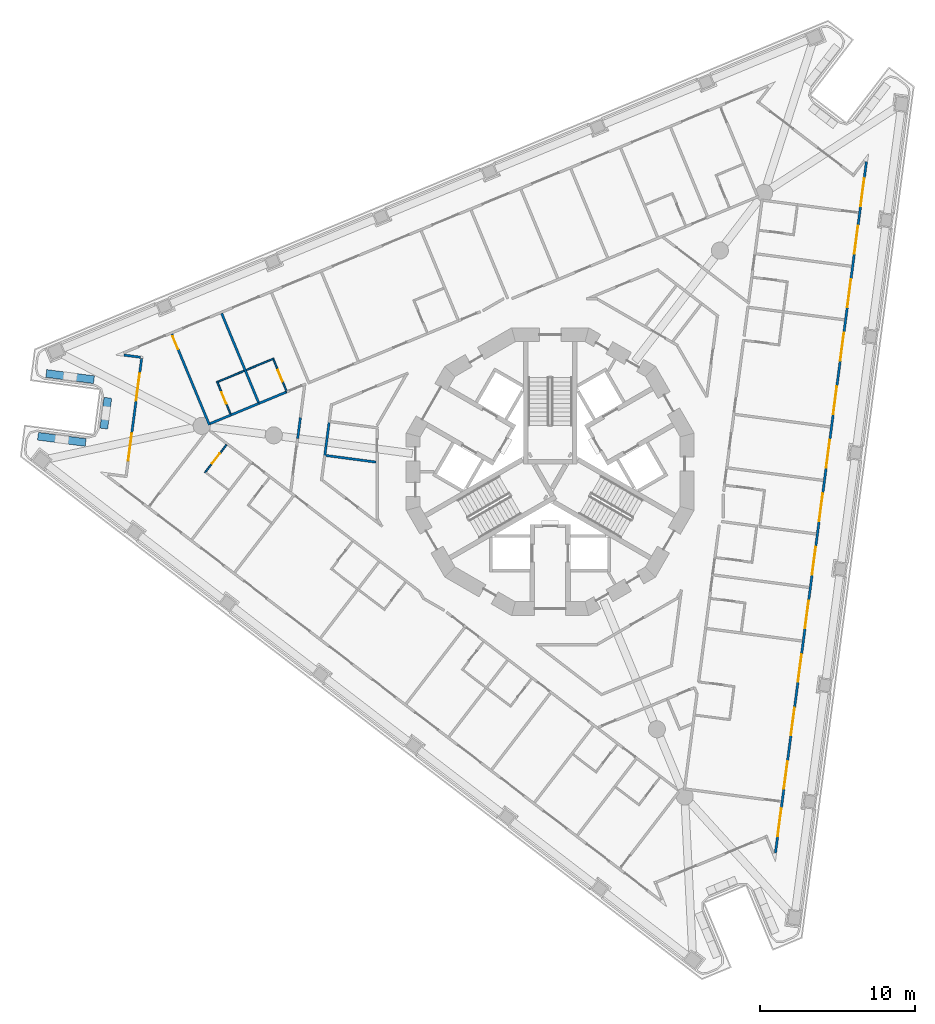
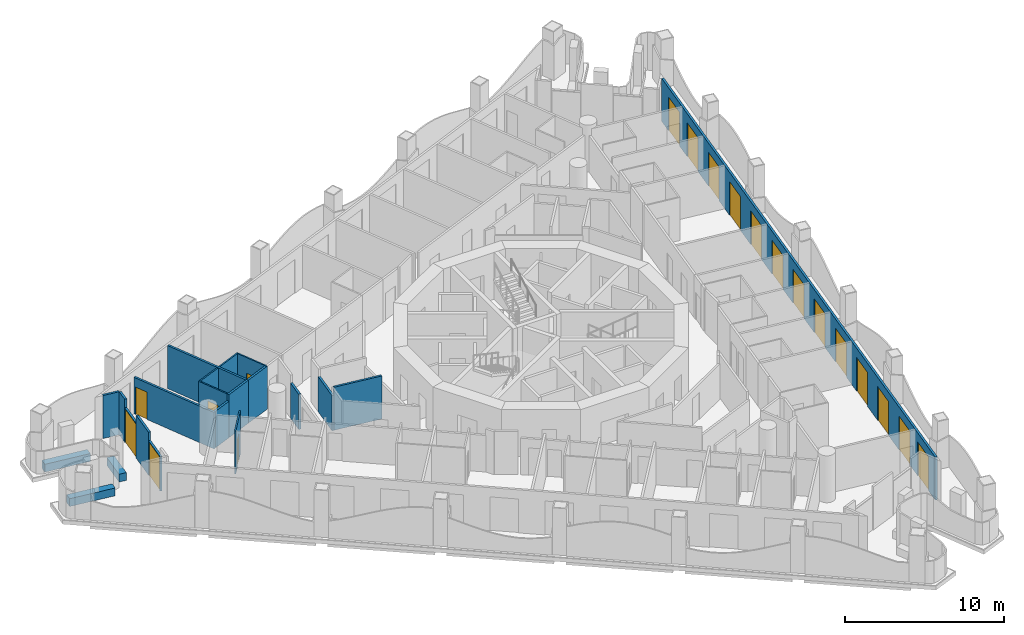
# One storey, part 6 of 17: 22 walls, 19 doors, 19 openings.
"""IFC4 building model written with IfcOpenShell, lengths in metres."""

import ifcopenshell
import ifcopenshell.guid

model = None  # the IFC model being written
_history = None  # IfcOwnerHistory: only IFC2X3 demands one
_inside = {}  # id of a spatial element -> (the spatial element, [elements in it])
_under = {}  # id of a project, library or spatial element -> (it, [spatial elements below it])
_declared = {}  # id of a project -> (the project, [libraries it declares])
_typed = {}  # id of a type object -> (the type object, [elements of that type])
_made_of = {}  # id of a material, layer set ... -> (it, [elements and type objects made of it])


def new_model(schema):
    """Start an empty IFC model of exactly this schema.

    Asked for "IFC4X3", IfcOpenShell would pick the latest addendum, in which some entities
    have other attributes; the version numbers below select the first issue.
    IFC2X3 requires an IfcOwnerHistory on every rooted entity: one is made here for all.
    """
    global model, _history
    if schema == "IFC4X3":
        model = ifcopenshell.file(schema_version=(4, 3, 0, 0))
    else:
        model = ifcopenshell.file(schema=schema)
    _inside.clear()
    _under.clear()
    _declared.clear()
    _typed.clear()
    _made_of.clear()
    _history = None
    if model.schema == "IFC2X3":
        org = make("IfcOrganization", Name="unknown")
        user = make(
            "IfcPersonAndOrganization",
            ThePerson=make("IfcPerson", FamilyName="unknown"),
            TheOrganization=org,
        )
        app = make(
            "IfcApplication",
            ApplicationDeveloper=org,
            Version="unknown",
            ApplicationFullName="unknown",
            ApplicationIdentifier="unknown",
        )
        _history = make(
            "IfcOwnerHistory",
            OwningUser=user,
            OwningApplication=app,
            ChangeAction="ADDED",
            CreationDate=0,
        )
    return model


def make(cls, **values):
    """One entity of the class cls with the attributes given. An attribute that is None is left unset."""
    return model.create_entity(
        cls, **{name: value for name, value in values.items() if value is not None}
    )


def rooted(cls, **values):
    """An entity with a GlobalId (a new one), such as an element, a storey or a relation."""
    return make(cls, GlobalId=ifcopenshell.guid.new(), OwnerHistory=_history, **values)


def si_unit(unit_type, name, prefix=None):
    """IfcSIUnit, for example si_unit("LENGTHUNIT", "METRE", prefix="MILLI")."""
    return make("IfcSIUnit", UnitType=unit_type, Prefix=prefix, Name=name)


def assignment(units):
    """IfcUnitAssignment: the units of a project."""
    return None if units is None else make("IfcUnitAssignment", Units=units)


def point(xyz):
    """IfcCartesianPoint."""
    return None if xyz is None else make("IfcCartesianPoint", Coordinates=xyz)


def direction(xyz):
    """IfcDirection."""
    return None if xyz is None else make("IfcDirection", DirectionRatios=xyz)


def frame(location, z_axis=None, x_axis=None):
    """IfcAxis2Placement3D, a coordinate frame: its origin and axes. An axis left out is left unset."""
    return make(
        "IfcAxis2Placement3D",
        Location=point(location),
        Axis=direction(z_axis),
        RefDirection=direction(x_axis),
    )


def frame_2d(location, x_axis=None):
    """IfcAxis2Placement2D, a coordinate frame in the plane: its origin and x axis."""
    return make(
        "IfcAxis2Placement2D", Location=point(location), RefDirection=direction(x_axis)
    )


def origin():
    """The frame at (0, 0, 0) with its axes left unset."""
    return frame((0.0, 0.0, 0.0))


def place(relative_to, where):
    """IfcLocalPlacement: puts the frame where relative to a parent placement (None: the world)."""
    return make(
        "IfcLocalPlacement", PlacementRelTo=relative_to, RelativePlacement=where
    )


def context(
    kind, dimensions, precision=None, world=None, true_north=None, identifier=None
):
    """IfcGeometricRepresentationContext, for example the 3D "Model" context."""
    return make(
        "IfcGeometricRepresentationContext",
        ContextIdentifier=identifier,
        ContextType=kind,
        CoordinateSpaceDimension=dimensions,
        Precision=precision,
        WorldCoordinateSystem=world,
        TrueNorth=true_north,
    )


def subcontext(parent, identifier, kind, view, scale=None):
    """IfcGeometricRepresentationSubContext, for example "Body" below "Model"."""
    return make(
        "IfcGeometricRepresentationSubContext",
        ContextIdentifier=identifier,
        ContextType=kind,
        ParentContext=parent,
        TargetScale=scale,
        TargetView=view,
    )


def project(units=None, contexts=None):
    """IfcProject with its units and contexts."""
    return rooted(
        "IfcProject",
        Name="project",
        RepresentationContexts=contexts,
        UnitsInContext=assignment(units),
    )


def spatial(cls, under=None, at=None, **own):
    """A site, building, storey or space (cls), placed at a placement, below another one or the project."""
    s = rooted(cls, ObjectPlacement=at, **own)
    if under is not None:
        _under.setdefault(under.id(), (under, []))[1].append(s)
    return s


def polyline(points):
    """IfcPolyline through the points."""
    return make("IfcPolyline", Points=[point(p) for p in points])


def profile(cls, at=None, kind="AREA", **sizes):
    """A parametric profile (cls). Its sizes go by their IFC names, for example OverallWidth=200.0."""
    return make(cls, ProfileType=kind, Position=at, **sizes)


def rectangle(**sizes):
    """IfcRectangleProfileDef."""
    return profile("IfcRectangleProfileDef", **sizes)


def outline(outer, holes=None, kind="AREA"):
    """IfcArbitraryClosedProfileDef: a profile drawn as a closed curve; with holes, ...WithVoids."""
    if holes is None:
        return make("IfcArbitraryClosedProfileDef", ProfileType=kind, OuterCurve=outer)
    return make(
        "IfcArbitraryProfileDefWithVoids",
        ProfileType=kind,
        OuterCurve=outer,
        InnerCurves=holes,
    )


def extrude(swept, where, along, depth):
    """IfcExtrudedAreaSolid: the profile swept, set in the frame where, extruded along a direction by depth."""
    return make(
        "IfcExtrudedAreaSolid",
        SweptArea=swept,
        Position=where,
        ExtrudedDirection=direction(along),
        Depth=depth,
    )


def shape(context_of_items, identifier, shape_type, items):
    """IfcShapeRepresentation: the items that make up one representation, for example the "Body"."""
    return make(
        "IfcShapeRepresentation",
        ContextOfItems=context_of_items,
        RepresentationIdentifier=identifier,
        RepresentationType=shape_type,
        Items=items,
    )


def material(Name=None, Category=None):
    """IfcMaterial."""
    return make("IfcMaterial", Name=Name, Category=Category)


def layer(
    of_material, thickness, ventilated=None, Name=None, Category=None, Priority=None
):
    """IfcMaterialLayer: one layer of a wall or slab, of a material (None: an air gap)."""
    return make(
        "IfcMaterialLayer",
        Material=of_material,
        LayerThickness=thickness,
        IsVentilated=ventilated,
        Name=Name,
        Category=Category,
        Priority=Priority,
    )


def layer_set(layers, Name=None):
    """IfcMaterialLayerSet."""
    return make("IfcMaterialLayerSet", MaterialLayers=layers, LayerSetName=Name)


def made_of(thing, what):
    """Note that an element or type object is made of a material, layer set ...; save() writes the relation."""
    if what is not None:
        _made_of.setdefault(what.id(), (what, []))[1].append(thing)
    return thing


def type_object(cls, material=None, **own):
    """A type object (cls), such as IfcWallType, which elements share."""
    return made_of(rooted(cls, **own), material)


def element(
    cls,
    number,
    at=None,
    inside=None,
    cuts=None,
    type_object=None,
    material=None,
    context=None,
    identifier="Body",
    shape_type=None,
    held_by="IfcProductDefinitionShape",
    body=None,
    shapes=None,
    **own,
):
    """One element of the class cls, such as IfcWall. Its Tag is "e" and its number.

    at: its placement. inside: the storey or other place that contains it. cuts: it is an
    opening in that element (IfcRelVoidsElement). A single representation is given by context,
    identifier, shape_type and body (its items); several are given by shapes. held_by: the class
    of the entity that holds the representations. save() writes the other relations.
    """
    e = rooted(cls, Tag="e%d" % number, ObjectPlacement=at, **own)
    if body is not None:
        shapes = [shape(context, identifier, shape_type, body)]
    if shapes is not None:
        e.Representation = make(held_by, Representations=shapes)
    if inside is not None:
        _inside.setdefault(inside.id(), (inside, []))[1].append(e)
    if cuts is not None:
        rooted(
            "IfcRelVoidsElement", RelatingBuildingElement=cuts, RelatedOpeningElement=e
        )
    if type_object is not None:
        _typed.setdefault(type_object.id(), (type_object, []))[1].append(e)
    return made_of(e, material)


def fill(opening, filler):
    """IfcRelFillsElement: the door or window that sits in an opening."""
    return rooted(
        "IfcRelFillsElement",
        RelatingOpeningElement=opening,
        RelatedBuildingElement=filler,
    )


def aggregate(whole, parts):
    """IfcRelAggregates: a whole, such as a stair, and the parts it consists of."""
    return rooted("IfcRelAggregates", RelatingObject=whole, RelatedObjects=parts)


def save(model, path):
    """Write the relations noted so far, then the file.

    IfcRelAggregates (storeys below a building ...), IfcRelContainedInSpatialStructure (elements
    in a storey), IfcRelDefinesByType, IfcRelAssociatesMaterial and IfcRelDeclares: one each for
    every whole, place, type object, material and project.
    """
    for whole, parts in _under.values():
        aggregate(whole, parts)
    for where, things in _inside.values():
        rooted(
            "IfcRelContainedInSpatialStructure",
            RelatedElements=things,
            RelatingStructure=where,
        )
    for kind, things in _typed.values():
        rooted("IfcRelDefinesByType", RelatedObjects=things, RelatingType=kind)
    for what, things in _made_of.values():
        rooted("IfcRelAssociatesMaterial", RelatedObjects=things, RelatingMaterial=what)
    for by, libraries in _declared.values():
        rooted("IfcRelDeclares", RelatingContext=by, RelatedDefinitions=libraries)
    model.write(path)


model = new_model("IFC4")

# Units and contexts
model_context = context("Model", 3, precision=1e-05, world=origin(), true_north=direction((0.0, 1.0)))
body_context = subcontext(model_context, "Body", "Model", "MODEL_VIEW")
ifc_project = project(units=[si_unit("LENGTHUNIT", "METRE"), si_unit("AREAUNIT", "SQUARE_METRE"), si_unit("VOLUMEUNIT", "CUBIC_METRE"), si_unit("PLANEANGLEUNIT", "RADIAN"), si_unit("MASSUNIT", "GRAM", prefix="KILO")], contexts=[model_context])

# Site, building, storey
site_placement = place(None, origin())
site = spatial("IfcSite", under=ifc_project, at=site_placement, CompositionType="ELEMENT")
building_placement = place(site_placement, origin())
building = spatial("IfcBuilding", under=site, at=building_placement, Name="Trine Commons Tower", CompositionType="ELEMENT")
storey_placement = place(building_placement, frame((0.0, 0.0, 127.800048828125)))
storey = spatial("IfcBuildingStorey", under=building, at=storey_placement, Name="L32", CompositionType="ELEMENT", Elevation=127.800048828125)

# Wall, opening, door
ifc_material_1 = material(Name="Aluminium-framed insulated wall panel", Category="aluminium")
ifc_layer_1 = layer(ifc_material_1, 0.14990234375)
ifc_layer_set_1 = layer_set([ifc_layer_1], Name="Aluminium-framed insulated wall panel")
wall_type_1 = type_object("IfcWallType", Name="Glazed frame wall 150, EI 60", PredefinedType="SOLIDWALL", material=ifc_layer_set_1)
wall_1_placement = place(storey_placement, frame((52.811279296875, 63.154296875, 0.0), z_axis=(0.0, 0.0, 1.0), x_axis=(0.130547578832, 0.991442045538, 0.0)))
wall_1 = element("IfcWall", 1, at=wall_1_placement, inside=storey, type_object=wall_type_1, Name="Glazed frame wall P1.2", PredefinedType="SOLIDWALL", context=body_context, shape_type="SweptSolid", body=[
    extrude(outline(polyline([(0.0, -0.074951171875), (1.89990234375, -0.074951171875), (1.89990234375, 0.074951171875), (0.0, 0.074951171875), (0.0, -0.074951171875)])), origin(), (0.0, 0.0, 1.0), 2.64990234375),
])
opening_1_placement = place(wall_1_placement, frame((0.050048828125, 0.0, 0.0)))
opening_1 = element("IfcOpeningElement", 2, at=opening_1_placement, cuts=wall_1, Name="Opening BD-4P1-01", PredefinedType="OPENING", context=body_context, shape_type="SweptSolid", body=[
    extrude(rectangle(XDim=1.800048828125, YDim=2.60009765625, at=frame_2d((0.89990234375, 1.300048828125))), frame((0.0, 0.0849609375, 0.0), z_axis=(0.0, -1.0, 0.0), x_axis=(1.0, 0.0, 0.0)), (0.0, 0.0, 1.0), 0.169921875),
])
ifc_material_2 = material(Name="Anodised aluminium frame with double glazing", Category="aluminium")
door_type_1 = type_object("IfcDoorType", Name="Sliding loggia door 1800x2600", OperationType="SLIDING_TO_LEFT", PredefinedType="DOOR", material=ifc_material_2)
door_1_placement = place(opening_1_placement, origin())
door_1 = element("IfcDoor", 3, at=door_1_placement, inside=storey, type_object=door_type_1, Name="Loggia door P1 1", OperationType="SLIDING_TO_LEFT", OverallHeight=2.60009765625, OverallWidth=1.800048828125, PredefinedType="DOOR", context=body_context, shape_type="SweptSolid", body=[
    extrude(rectangle(XDim=1.800048828125, YDim=2.60009765625, at=frame_2d((0.89990234375, 1.300048828125))), frame((0.0, 0.02490234375, 0.0), z_axis=(0.0, -1.0, 0.0), x_axis=(1.0, 0.0, 0.0)), (0.0, 0.0, 1.0), 0.050048828125),
])
fill(opening_1, door_1)

# Wall
wall_2_placement = place(storey_placement, frame((53.059326171875, 65.0380859375, 0.0), z_axis=(0.0, 0.0, 1.0), x_axis=(0.130492404742, 0.991449308994, 0.0)))
element("IfcWall", 4, at=wall_2_placement, inside=storey, type_object=wall_type_1, Name="Glazed frame wall P1.3", PredefinedType="SOLIDWALL", context=body_context, shape_type="SweptSolid", body=[
    extrude(outline(polyline([(0.0, -0.074951171875), (2.0, -0.074951171875), (2.0, 0.074951171875), (0.0, 0.074951171875), (0.0, -0.074951171875)])), origin(), (0.0, 0.0, 1.0), 3.300048828125),
])

# Wall, opening, door
wall_3_placement = place(storey_placement, frame((53.3203125, 67.02099609375, 0.0), z_axis=(0.0, 0.0, 1.0), x_axis=(0.130547578832, 0.991442045538, 0.0)))
wall_3 = element("IfcWall", 5, at=wall_3_placement, inside=storey, type_object=wall_type_1, Name="Glazed frame wall P1.4", PredefinedType="SOLIDWALL", context=body_context, shape_type="SweptSolid", body=[
    extrude(outline(polyline([(0.0, -0.074951171875), (1.89990234375, -0.074951171875), (1.89990234375, 0.074951171875), (0.0, 0.074951171875), (0.0, -0.074951171875)])), origin(), (0.0, 0.0, 1.0), 2.64990234375),
])
opening_2_placement = place(wall_3_placement, frame((0.050048828125, 0.0, 0.0)))
opening_2 = element("IfcOpeningElement", 6, at=opening_2_placement, cuts=wall_3, Name="Opening BD-4P1-02", PredefinedType="OPENING", context=body_context, shape_type="SweptSolid", body=[
    extrude(rectangle(XDim=1.800048828125, YDim=2.60009765625, at=frame_2d((0.89990234375, 1.300048828125))), frame((0.0, 0.0849609375, 0.0), z_axis=(0.0, -1.0, 0.0), x_axis=(1.0, 0.0, 0.0)), (0.0, 0.0, 1.0), 0.169921875),
])
door_2_placement = place(opening_2_placement, origin())
door_2 = element("IfcDoor", 7, at=door_2_placement, inside=storey, type_object=door_type_1, Name="Loggia door P1 2", OperationType="SLIDING_TO_LEFT", OverallHeight=2.60009765625, OverallWidth=1.800048828125, PredefinedType="DOOR", context=body_context, shape_type="SweptSolid", body=[
    extrude(rectangle(XDim=1.800048828125, YDim=2.60009765625, at=frame_2d((0.89990234375, 1.300048828125))), frame((0.0, 0.02490234375, 0.0), z_axis=(0.0, -1.0, 0.0), x_axis=(1.0, 0.0, 0.0)), (0.0, 0.0, 1.0), 0.050048828125),
])
fill(opening_2, door_2)

# Walls
wall_4_placement = place(storey_placement, frame((53.568359375, 68.90478515625, 0.0), z_axis=(0.0, 0.0, 1.0), x_axis=(0.130612392842, 0.991433509034, 0.0)))
element("IfcWall", 8, at=wall_4_placement, inside=storey, type_object=wall_type_1, Name="Glazed frame wall P1.5", PredefinedType="SOLIDWALL", context=body_context, shape_type="SweptSolid", body=[
    extrude(outline(polyline([(0.889892578125, 0.074951171875), (0.0, 0.074951171875), (0.0, -0.074951171875), (0.889892578125, -0.074951171875), (0.889892578125, 0.074951171875)])), origin(), (0.0, 0.0, 1.0), 3.300048828125),
])
wall_5_placement = place(storey_placement, frame((53.72900390625, 69.85693359375, 0.0), z_axis=(0.0, 0.0, 1.0), x_axis=(-0.991446880033, 0.130510858064, 0.0)))
element("IfcWall", 9, at=wall_5_placement, inside=storey, type_object=wall_type_1, Name="Glazed frame wall R3", PredefinedType="SOLIDWALL", context=body_context, shape_type="SweptSolid", body=[
    extrude(outline(polyline([(0.110107421875, 0.074951171875), (0.110107421875, -0.074951171875), (1.19580078125, -0.074951171875), (1.19580078125, 0.074951171875), (0.110107421875, 0.074951171875)])), origin(), (0.0, 0.0, 1.0), 3.300048828125),
])

# Wall, openings, doors
wall_6_placement = place(storey_placement, frame((100.387939453125, 82.614013671875, 0.0), z_axis=(0.0, 0.0, 1.0), x_axis=(-0.130522128443, -0.991445396372, 0.0)))
wall_6 = element("IfcWall", 10, at=wall_6_placement, inside=storey, type_object=wall_type_1, Name="Glazed frame wall F2", PredefinedType="SOLIDWALL", context=body_context, shape_type="SweptSolid", body=[
    extrude(outline(polyline([(0.1494140625, 0.074951171875), (0.1494140625, -0.074951171875), (45.056884765625, -0.074951171875), (45.056884765625, 0.074951171875), (0.1494140625, 0.074951171875)])), origin(), (0.0, 0.0, 1.0), 3.300048828125),
])
opening_3_placement = place(wall_6_placement, frame((1.23876953125, 0.0, 0.0)))
opening_3 = element("IfcOpeningElement", 11, at=opening_3_placement, cuts=wall_6, Name="Opening BD-4F2-01", PredefinedType="OPENING", context=body_context, shape_type="SweptSolid", body=[
    extrude(rectangle(XDim=1.800048828125, YDim=2.60009765625, at=frame_2d((0.89990234375, 1.300048828125))), frame((0.0, 0.0849609375, 0.0), z_axis=(0.0, -1.0, 0.0), x_axis=(1.0, 0.0, 0.0)), (0.0, 0.0, 1.0), 0.169921875),
])
opening_4_placement = place(wall_6_placement, frame((4.316162109375, 0.0, 0.0)))
opening_4 = element("IfcOpeningElement", 12, at=opening_4_placement, cuts=wall_6, Name="Opening BD-4F2-02", PredefinedType="OPENING", context=body_context, shape_type="SweptSolid", body=[
    extrude(rectangle(XDim=1.800048828125, YDim=2.60009765625, at=frame_2d((0.89990234375, 1.300048828125))), frame((0.0, 0.0849609375, 0.0), z_axis=(0.0, -1.0, 0.0), x_axis=(1.0, 0.0, 0.0)), (0.0, 0.0, 1.0), 0.169921875),
])
opening_5_placement = place(wall_6_placement, frame((7.79345703125, 0.0, 0.0)))
opening_5 = element("IfcOpeningElement", 13, at=opening_5_placement, cuts=wall_6, Name="Opening BD-4F2-03", PredefinedType="OPENING", context=body_context, shape_type="SweptSolid", body=[
    extrude(rectangle(XDim=1.800048828125, YDim=2.60009765625, at=frame_2d((0.89990234375, 1.300048828125))), frame((0.0, 0.0849609375, 0.0), z_axis=(0.0, -1.0, 0.0), x_axis=(1.0, 0.0, 0.0)), (0.0, 0.0, 1.0), 0.169921875),
])
opening_6_placement = place(wall_6_placement, frame((11.27099609375, 0.0, 0.0)))
opening_6 = element("IfcOpeningElement", 14, at=opening_6_placement, cuts=wall_6, Name="Opening BD-4F2-04", PredefinedType="OPENING", context=body_context, shape_type="SweptSolid", body=[
    extrude(rectangle(XDim=1.800048828125, YDim=2.60009765625, at=frame_2d((0.89990234375, 1.300048828125))), frame((0.0, 0.0849609375, 0.0), z_axis=(0.0, -1.0, 0.0), x_axis=(1.0, 0.0, 0.0)), (0.0, 0.0, 1.0), 0.169921875),
])
opening_7_placement = place(wall_6_placement, frame((14.748291015625, 0.0, 0.0)))
opening_7 = element("IfcOpeningElement", 15, at=opening_7_placement, cuts=wall_6, Name="Opening BD-4F2-05", PredefinedType="OPENING", context=body_context, shape_type="SweptSolid", body=[
    extrude(rectangle(XDim=1.800048828125, YDim=2.60009765625, at=frame_2d((0.89990234375, 1.300048828125))), frame((0.0, 0.0849609375, 0.0), z_axis=(0.0, -1.0, 0.0), x_axis=(1.0, 0.0, 0.0)), (0.0, 0.0, 1.0), 0.169921875),
])
opening_8_placement = place(wall_6_placement, frame((18.2255859375, 0.0, 0.0)))
opening_8 = element("IfcOpeningElement", 16, at=opening_8_placement, cuts=wall_6, Name="Opening BD-4F2-06", PredefinedType="OPENING", context=body_context, shape_type="SweptSolid", body=[
    extrude(rectangle(XDim=1.800048828125, YDim=2.60009765625, at=frame_2d((0.89990234375, 1.300048828125))), frame((0.0, 0.0849609375, 0.0), z_axis=(0.0, -1.0, 0.0), x_axis=(1.0, 0.0, 0.0)), (0.0, 0.0, 1.0), 0.169921875),
])
opening_9_placement = place(wall_6_placement, frame((21.703125, 0.0, 0.0)))
opening_9 = element("IfcOpeningElement", 17, at=opening_9_placement, cuts=wall_6, Name="Opening BD-4F2-07", PredefinedType="OPENING", context=body_context, shape_type="SweptSolid", body=[
    extrude(rectangle(XDim=1.800048828125, YDim=2.60009765625, at=frame_2d((0.89990234375, 1.300048828125))), frame((0.0, 0.0849609375, 0.0), z_axis=(0.0, -1.0, 0.0), x_axis=(1.0, 0.0, 0.0)), (0.0, 0.0, 1.0), 0.169921875),
])
opening_10_placement = place(wall_6_placement, frame((25.180419921875, 0.0, 0.0)))
opening_10 = element("IfcOpeningElement", 18, at=opening_10_placement, cuts=wall_6, Name="Opening BD-4F2-08", PredefinedType="OPENING", context=body_context, shape_type="SweptSolid", body=[
    extrude(rectangle(XDim=1.800048828125, YDim=2.60009765625, at=frame_2d((0.89990234375, 1.300048828125))), frame((0.0, 0.0849609375, 0.0), z_axis=(0.0, -1.0, 0.0), x_axis=(1.0, 0.0, 0.0)), (0.0, 0.0, 1.0), 0.169921875),
])
opening_11_placement = place(wall_6_placement, frame((28.657958984375, 0.0, 0.0)))
opening_11 = element("IfcOpeningElement", 19, at=opening_11_placement, cuts=wall_6, Name="Opening BD-4F2-09", PredefinedType="OPENING", context=body_context, shape_type="SweptSolid", body=[
    extrude(rectangle(XDim=1.800048828125, YDim=2.60009765625, at=frame_2d((0.89990234375, 1.300048828125))), frame((0.0, 0.0849609375, 0.0), z_axis=(0.0, -1.0, 0.0), x_axis=(1.0, 0.0, 0.0)), (0.0, 0.0, 1.0), 0.169921875),
])
opening_12_placement = place(wall_6_placement, frame((32.13525390625, 0.0, 0.0)))
opening_12 = element("IfcOpeningElement", 20, at=opening_12_placement, cuts=wall_6, Name="Opening BD-4F2-10", PredefinedType="OPENING", context=body_context, shape_type="SweptSolid", body=[
    extrude(rectangle(XDim=1.800048828125, YDim=2.60009765625, at=frame_2d((0.89990234375, 1.300048828125))), frame((0.0, 0.0849609375, 0.0), z_axis=(0.0, -1.0, 0.0), x_axis=(1.0, 0.0, 0.0)), (0.0, 0.0, 1.0), 0.169921875),
])
opening_13_placement = place(wall_6_placement, frame((35.61279296875, 0.0, 0.0)))
opening_13 = element("IfcOpeningElement", 21, at=opening_13_placement, cuts=wall_6, Name="Opening BD-4F2-11", PredefinedType="OPENING", context=body_context, shape_type="SweptSolid", body=[
    extrude(rectangle(XDim=1.800048828125, YDim=2.60009765625, at=frame_2d((0.89990234375, 1.300048828125))), frame((0.0, 0.0849609375, 0.0), z_axis=(0.0, -1.0, 0.0), x_axis=(1.0, 0.0, 0.0)), (0.0, 0.0, 1.0), 0.169921875),
])
opening_14_placement = place(wall_6_placement, frame((39.090087890625, 0.0, 0.0)))
opening_14 = element("IfcOpeningElement", 22, at=opening_14_placement, cuts=wall_6, Name="Opening BD-4F2-12", PredefinedType="OPENING", context=body_context, shape_type="SweptSolid", body=[
    extrude(rectangle(XDim=1.800048828125, YDim=2.60009765625, at=frame_2d((0.89990234375, 1.300048828125))), frame((0.0, 0.0849609375, 0.0), z_axis=(0.0, -1.0, 0.0), x_axis=(1.0, 0.0, 0.0)), (0.0, 0.0, 1.0), 0.169921875),
])
opening_15_placement = place(wall_6_placement, frame((42.16748046875, 0.0, 0.0)))
opening_15 = element("IfcOpeningElement", 23, at=opening_15_placement, cuts=wall_6, Name="Opening BD-4F2-13", PredefinedType="OPENING", context=body_context, shape_type="SweptSolid", body=[
    extrude(rectangle(XDim=1.800048828125, YDim=2.60009765625, at=frame_2d((0.89990234375, 1.300048828125))), frame((0.0, 0.0849609375, 0.0), z_axis=(0.0, -1.0, 0.0), x_axis=(1.0, 0.0, 0.0)), (0.0, 0.0, 1.0), 0.169921875),
])
door_3_placement = place(opening_3_placement, origin())
door_3 = element("IfcDoor", 24, at=door_3_placement, inside=storey, type_object=door_type_1, Name="Loggia door F2 1", OperationType="SLIDING_TO_LEFT", OverallHeight=2.60009765625, OverallWidth=1.800048828125, PredefinedType="DOOR", context=body_context, shape_type="SweptSolid", body=[
    extrude(rectangle(XDim=1.800048828125, YDim=2.60009765625, at=frame_2d((0.89990234375, 1.300048828125))), frame((0.0, 0.02490234375, 0.0), z_axis=(0.0, -1.0, 0.0), x_axis=(1.0, 0.0, 0.0)), (0.0, 0.0, 1.0), 0.050048828125),
])
fill(opening_3, door_3)
door_4_placement = place(opening_4_placement, origin())
door_4 = element("IfcDoor", 25, at=door_4_placement, inside=storey, type_object=door_type_1, Name="Loggia door F2 2", OperationType="SLIDING_TO_LEFT", OverallHeight=2.60009765625, OverallWidth=1.800048828125, PredefinedType="DOOR", context=body_context, shape_type="SweptSolid", body=[
    extrude(rectangle(XDim=1.800048828125, YDim=2.60009765625, at=frame_2d((0.89990234375, 1.300048828125))), frame((0.0, 0.02490234375, 0.0), z_axis=(0.0, -1.0, 0.0), x_axis=(1.0, 0.0, 0.0)), (0.0, 0.0, 1.0), 0.050048828125),
])
fill(opening_4, door_4)
door_5_placement = place(opening_5_placement, origin())
door_5 = element("IfcDoor", 26, at=door_5_placement, inside=storey, type_object=door_type_1, Name="Loggia door F2 3", OperationType="SLIDING_TO_LEFT", OverallHeight=2.60009765625, OverallWidth=1.800048828125, PredefinedType="DOOR", context=body_context, shape_type="SweptSolid", body=[
    extrude(rectangle(XDim=1.800048828125, YDim=2.60009765625, at=frame_2d((0.89990234375, 1.300048828125))), frame((0.0, 0.02490234375, 0.0), z_axis=(0.0, -1.0, 0.0), x_axis=(1.0, 0.0, 0.0)), (0.0, 0.0, 1.0), 0.050048828125),
])
fill(opening_5, door_5)
door_6_placement = place(opening_6_placement, origin())
door_6 = element("IfcDoor", 27, at=door_6_placement, inside=storey, type_object=door_type_1, Name="Loggia door F2 4", OperationType="SLIDING_TO_LEFT", OverallHeight=2.60009765625, OverallWidth=1.800048828125, PredefinedType="DOOR", context=body_context, shape_type="SweptSolid", body=[
    extrude(rectangle(XDim=1.800048828125, YDim=2.60009765625, at=frame_2d((0.89990234375, 1.300048828125))), frame((0.0, 0.02490234375, 0.0), z_axis=(0.0, -1.0, 0.0), x_axis=(1.0, 0.0, 0.0)), (0.0, 0.0, 1.0), 0.050048828125),
])
fill(opening_6, door_6)
door_7_placement = place(opening_7_placement, origin())
door_7 = element("IfcDoor", 28, at=door_7_placement, inside=storey, type_object=door_type_1, Name="Loggia door F2 5", OperationType="SLIDING_TO_LEFT", OverallHeight=2.60009765625, OverallWidth=1.800048828125, PredefinedType="DOOR", context=body_context, shape_type="SweptSolid", body=[
    extrude(rectangle(XDim=1.800048828125, YDim=2.60009765625, at=frame_2d((0.89990234375, 1.300048828125))), frame((0.0, 0.02490234375, 0.0), z_axis=(0.0, -1.0, 0.0), x_axis=(1.0, 0.0, 0.0)), (0.0, 0.0, 1.0), 0.050048828125),
])
fill(opening_7, door_7)
door_8_placement = place(opening_8_placement, origin())
door_8 = element("IfcDoor", 29, at=door_8_placement, inside=storey, type_object=door_type_1, Name="Loggia door F2 6", OperationType="SLIDING_TO_LEFT", OverallHeight=2.60009765625, OverallWidth=1.800048828125, PredefinedType="DOOR", context=body_context, shape_type="SweptSolid", body=[
    extrude(rectangle(XDim=1.800048828125, YDim=2.60009765625, at=frame_2d((0.89990234375, 1.300048828125))), frame((0.0, 0.02490234375, 0.0), z_axis=(0.0, -1.0, 0.0), x_axis=(1.0, 0.0, 0.0)), (0.0, 0.0, 1.0), 0.050048828125),
])
fill(opening_8, door_8)
door_9_placement = place(opening_9_placement, origin())
door_9 = element("IfcDoor", 30, at=door_9_placement, inside=storey, type_object=door_type_1, Name="Loggia door F2 7", OperationType="SLIDING_TO_LEFT", OverallHeight=2.60009765625, OverallWidth=1.800048828125, PredefinedType="DOOR", context=body_context, shape_type="SweptSolid", body=[
    extrude(rectangle(XDim=1.800048828125, YDim=2.60009765625, at=frame_2d((0.89990234375, 1.300048828125))), frame((0.0, 0.02490234375, 0.0), z_axis=(0.0, -1.0, 0.0), x_axis=(1.0, 0.0, 0.0)), (0.0, 0.0, 1.0), 0.050048828125),
])
fill(opening_9, door_9)
door_10_placement = place(opening_10_placement, origin())
door_10 = element("IfcDoor", 31, at=door_10_placement, inside=storey, type_object=door_type_1, Name="Loggia door F2 8", OperationType="SLIDING_TO_LEFT", OverallHeight=2.60009765625, OverallWidth=1.800048828125, PredefinedType="DOOR", context=body_context, shape_type="SweptSolid", body=[
    extrude(rectangle(XDim=1.800048828125, YDim=2.60009765625, at=frame_2d((0.89990234375, 1.300048828125))), frame((0.0, 0.02490234375, 0.0), z_axis=(0.0, -1.0, 0.0), x_axis=(1.0, 0.0, 0.0)), (0.0, 0.0, 1.0), 0.050048828125),
])
fill(opening_10, door_10)
door_11_placement = place(opening_11_placement, origin())
door_11 = element("IfcDoor", 32, at=door_11_placement, inside=storey, type_object=door_type_1, Name="Loggia door F2 9", OperationType="SLIDING_TO_LEFT", OverallHeight=2.60009765625, OverallWidth=1.800048828125, PredefinedType="DOOR", context=body_context, shape_type="SweptSolid", body=[
    extrude(rectangle(XDim=1.800048828125, YDim=2.60009765625, at=frame_2d((0.89990234375, 1.300048828125))), frame((0.0, 0.02490234375, 0.0), z_axis=(0.0, -1.0, 0.0), x_axis=(1.0, 0.0, 0.0)), (0.0, 0.0, 1.0), 0.050048828125),
])
fill(opening_11, door_11)
door_12_placement = place(opening_12_placement, origin())
door_12 = element("IfcDoor", 33, at=door_12_placement, inside=storey, type_object=door_type_1, Name="Loggia door F2 10", OperationType="SLIDING_TO_LEFT", OverallHeight=2.60009765625, OverallWidth=1.800048828125, PredefinedType="DOOR", context=body_context, shape_type="SweptSolid", body=[
    extrude(rectangle(XDim=1.800048828125, YDim=2.60009765625, at=frame_2d((0.89990234375, 1.300048828125))), frame((0.0, 0.02490234375, 0.0), z_axis=(0.0, -1.0, 0.0), x_axis=(1.0, 0.0, 0.0)), (0.0, 0.0, 1.0), 0.050048828125),
])
fill(opening_12, door_12)
door_13_placement = place(opening_13_placement, origin())
door_13 = element("IfcDoor", 34, at=door_13_placement, inside=storey, type_object=door_type_1, Name="Loggia door F2 11", OperationType="SLIDING_TO_LEFT", OverallHeight=2.60009765625, OverallWidth=1.800048828125, PredefinedType="DOOR", context=body_context, shape_type="SweptSolid", body=[
    extrude(rectangle(XDim=1.800048828125, YDim=2.60009765625, at=frame_2d((0.89990234375, 1.300048828125))), frame((0.0, 0.02490234375, 0.0), z_axis=(0.0, -1.0, 0.0), x_axis=(1.0, 0.0, 0.0)), (0.0, 0.0, 1.0), 0.050048828125),
])
fill(opening_13, door_13)
door_14_placement = place(opening_14_placement, origin())
door_14 = element("IfcDoor", 35, at=door_14_placement, inside=storey, type_object=door_type_1, Name="Loggia door F2 12", OperationType="SLIDING_TO_LEFT", OverallHeight=2.60009765625, OverallWidth=1.800048828125, PredefinedType="DOOR", context=body_context, shape_type="SweptSolid", body=[
    extrude(rectangle(XDim=1.800048828125, YDim=2.60009765625, at=frame_2d((0.89990234375, 1.300048828125))), frame((0.0, 0.02490234375, 0.0), z_axis=(0.0, -1.0, 0.0), x_axis=(1.0, 0.0, 0.0)), (0.0, 0.0, 1.0), 0.050048828125),
])
fill(opening_14, door_14)
door_15_placement = place(opening_15_placement, origin())
door_15 = element("IfcDoor", 36, at=door_15_placement, inside=storey, type_object=door_type_1, Name="Loggia door F2 13", OperationType="SLIDING_TO_LEFT", OverallHeight=2.60009765625, OverallWidth=1.800048828125, PredefinedType="DOOR", context=body_context, shape_type="SweptSolid", body=[
    extrude(rectangle(XDim=1.800048828125, YDim=2.60009765625, at=frame_2d((0.89990234375, 1.300048828125))), frame((0.0, 0.02490234375, 0.0), z_axis=(0.0, -1.0, 0.0), x_axis=(1.0, 0.0, 0.0)), (0.0, 0.0, 1.0), 0.050048828125),
])
fill(opening_15, door_15)

# Walls
ifc_material_3 = material(Name="Planter trough, precast concrete C40/50", Category="concrete")
ifc_layer_2 = layer(ifc_material_3, 0.5)
ifc_layer_set_2 = layer_set([ifc_layer_2], Name="Planter trough, precast concrete C40/50")
wall_type_2 = type_object("IfcWallType", Name="Planter trough 500x600", PredefinedType="PARAPET", material=ifc_layer_set_2)
wall_7_placement = place(storey_placement, frame((47.009765625, 64.78564453125, 0.0), z_axis=(0.0, 0.0, 1.0), x_axis=(0.991448665422, -0.130497294353, 0.0)))
element("IfcWall", 37, at=wall_7_placement, inside=storey, type_object=wall_type_2, Name="Planter 1", PredefinedType="PARAPET", context=body_context, shape_type="SweptSolid", body=[
    extrude(rectangle(XDim=3.10009765625, YDim=0.5, at=frame_2d((1.550048828125, 0.0))), origin(), (0.0, 0.0, 1.0), 0.599853515625),
])
wall_8_placement = place(storey_placement, frame((51.25, 65.2763671875, 0.0), z_axis=(0.0, 0.0, 1.0), x_axis=(0.130492404742, 0.991449308994, 0.0)))
element("IfcWall", 38, at=wall_8_placement, inside=storey, type_object=wall_type_2, Name="Planter 2", PredefinedType="PARAPET", context=body_context, shape_type="SweptSolid", body=[
    extrude(rectangle(XDim=2.0, YDim=0.5, at=frame_2d((1.0, 0.0))), origin(), (0.0, 0.0, 1.0), 0.599853515625),
])
wall_9_placement = place(storey_placement, frame((50.615478515625, 68.426025390625, 0.0), z_axis=(0.0, 0.0, 1.0), x_axis=(-0.991437130155, 0.130584903225, 0.0)))
element("IfcWall", 39, at=wall_9_placement, inside=storey, type_object=wall_type_2, Name="Planter 3", PredefinedType="PARAPET", context=body_context, shape_type="SweptSolid", body=[
    extrude(rectangle(XDim=3.099853515625, YDim=0.5, at=frame_2d((1.5498046875, 0.0))), origin(), (0.0, 0.0, 1.0), 0.599853515625),
])

# Wall, opening, door
ifc_material_4 = material(Name="Gypsum plasterboard on steel stud", Category="steel")
ifc_layer_3 = layer(ifc_material_4, 0.14990234375)
ifc_layer_set_3 = layer_set([ifc_layer_3], Name="Gypsum plasterboard on steel stud")
wall_type_3 = type_object("IfcWallType", Name="Unit and corridor wall 150 mm, EI 60", PredefinedType="PARTITIONING", material=ifc_layer_set_3)
wall_10_placement = place(storey_placement, frame((55.62841796875, 71.361083984375, 0.0), z_axis=(0.0, 0.0, 1.0), x_axis=(0.38260330851, -0.923912716828, 0.0)))
wall_10 = element("IfcWall", 40, at=wall_10_placement, inside=storey, type_object=wall_type_3, Name="Partition 002", PredefinedType="PARTITIONING", context=body_context, shape_type="SweptSolid", body=[
    extrude(rectangle(XDim=6.343994140625, YDim=0.14990234375, at=frame_2d((3.171875, 0.0))), origin(), (0.0, 0.0, 1.0), 2.800048828125),
])
opening_16_placement = place(wall_10_placement, frame((0.14990234375, 0.0, 0.0)))
opening_16 = element("IfcOpeningElement", 41, at=opening_16_placement, cuts=wall_10, Name="Opening D-4A05", PredefinedType="OPENING", context=body_context, shape_type="SweptSolid", body=[
    extrude(rectangle(XDim=0.89990234375, YDim=2.10009765625, at=frame_2d((0.449951171875, 1.050048828125))), frame((0.0, 0.0849609375, 0.0), z_axis=(0.0, -1.0, 0.0), x_axis=(1.0, 0.0, 0.0)), (0.0, 0.0, 1.0), 0.169921875),
])
ifc_material_5 = material(Name="Timber fire door set", Category="wood")
door_type_2 = type_object("IfcDoorType", Name="Bedroom door 900 x 2100, FD30S", OperationType="NOTDEFINED", PredefinedType="DOOR", material=ifc_material_5)
door_16_placement = place(opening_16_placement, origin())
door_16 = element("IfcDoor", 42, at=door_16_placement, inside=storey, type_object=door_type_2, Name="Door D-4A05", OperationType="SINGLE_SWING_LEFT", OverallHeight=2.10009765625, OverallWidth=0.89990234375, PredefinedType="DOOR", context=body_context, shape_type="SweptSolid", body=[
    extrude(rectangle(XDim=0.89990234375, YDim=2.10009765625, at=frame_2d((0.449951171875, 1.050048828125))), frame((0.0, 0.02490234375, 0.0), z_axis=(0.0, -1.0, 0.0), x_axis=(1.0, 0.0, 0.0)), (0.0, 0.0, 1.0), 0.050048828125),
])
fill(opening_16, door_16)

# Walls
wall_11_placement = place(storey_placement, frame((58.09619140625, 65.59765625, 0.0), z_axis=(0.0, 0.0, 1.0), x_axis=(0.923888134281, 0.382662665196, 0.0)))
element("IfcWall", 43, at=wall_11_placement, inside=storey, type_object=wall_type_3, Name="Partition 007", PredefinedType="PARTITIONING", context=body_context, shape_type="SweptSolid", body=[
    extrude(rectangle(XDim=1.45654296875, YDim=0.14990234375, at=frame_2d((0.728271484375, 0.0))), origin(), (0.0, 0.0, 1.0), 2.800048828125),
])
wall_12_placement = place(storey_placement, frame((58.84130859375, 72.69189453125, 0.0), z_axis=(0.0, 0.0, 1.0), x_axis=(0.382610562407, -0.923909712869, 0.0)))
element("IfcWall", 44, at=wall_12_placement, inside=storey, type_object=wall_type_3, Name="Partition 010", PredefinedType="PARTITIONING", context=body_context, shape_type="SweptSolid", body=[
    extrude(rectangle(XDim=6.19384765625, YDim=0.14990234375, at=frame_2d((3.096923828125, 0.0))), origin(), (0.0, 0.0, 1.0), 3.300048828125),
])
wall_13_placement = place(storey_placement, frame((59.388916015625, 66.1328125, 0.0), z_axis=(0.0, 0.0, 1.0), x_axis=(0.923817799338, 0.382832435442, 0.0)))
element("IfcWall", 45, at=wall_13_placement, inside=storey, type_object=wall_type_3, Name="Partition 011", PredefinedType="PARTITIONING", context=body_context, shape_type="SweptSolid", body=[
    extrude(rectangle(XDim=2.003662109375, YDim=0.14990234375, at=frame_2d((1.001953125, 0.0))), origin(), (0.0, 0.0, 1.0), 3.300048828125),
])
wall_14_placement = place(storey_placement, frame((61.239990234375, 66.89990234375, 0.0), z_axis=(0.0, 0.0, 1.0), x_axis=(0.92387678234, 0.382690071798, 0.0)))
element("IfcWall", 46, at=wall_14_placement, inside=storey, type_object=wall_type_3, Name="Partition 016", PredefinedType="PARTITIONING", context=body_context, shape_type="SweptSolid", body=[
    extrude(rectangle(XDim=1.95458984375, YDim=0.14990234375, at=frame_2d((0.977294921875, 0.0))), origin(), (0.0, 0.0, 1.0), 3.300048828125),
])
wall_15_placement = place(storey_placement, frame((63.736083984375, 64.64111328125, 0.0), z_axis=(0.0, 0.0, 1.0), x_axis=(0.129741998441, 0.991547786968, 0.0)))
element("IfcWall", 47, at=wall_15_placement, inside=storey, type_object=wall_type_3, Name="Partition 022", PredefinedType="PARTITIONING", context=body_context, shape_type="SweptSolid", body=[
    extrude(rectangle(XDim=1.347412109375, YDim=0.14990234375, at=frame_2d((0.673828125, 0.0))), origin(), (0.0, 0.0, 1.0), 2.699951171875),
])
wall_16_placement = place(storey_placement, frame((65.47314453125, 63.4755859375, 0.0), z_axis=(0.0, 0.0, 1.0), x_axis=(0.130468344309, 0.991452475479, 0.0)))
element("IfcWall", 48, at=wall_16_placement, inside=storey, type_object=wall_type_3, Name="Partition 029", PredefinedType="PARTITIONING", context=body_context, shape_type="SweptSolid", body=[
    extrude(rectangle(XDim=2.282958984375, YDim=0.14990234375, at=frame_2d((1.1416015625, 0.0))), origin(), (0.0, 0.0, 1.0), 2.699951171875),
])
wall_17_placement = place(storey_placement, frame((65.558349609375, 63.544189453125, 0.0), z_axis=(0.0, 0.0, 1.0), x_axis=(0.991425096487, -0.13067623371, 0.0)))
element("IfcWall", 49, at=wall_17_placement, inside=storey, type_object=wall_type_3, Name="Partition 030", PredefinedType="PARTITIONING", context=body_context, shape_type="SweptSolid", body=[
    extrude(rectangle(XDim=3.2470703125, YDim=0.14990234375, at=frame_2d((1.62353515625, 0.0))), origin(), (0.0, 0.0, 1.0), 3.300048828125),
])

# Wall, opening, door
ifc_layer_4 = layer(ifc_material_4, 0.10009765625)
ifc_layer_set_4 = layer_set([ifc_layer_4], Name="Gypsum plasterboard on steel stud")
wall_type_4 = type_object("IfcWallType", Name="Unit partition 100 mm, no rating", PredefinedType="PARTITIONING", material=ifc_layer_set_4)
wall_18_placement = place(storey_placement, frame((57.7626953125, 62.42822265625, 0.0), z_axis=(0.0, 0.0, 1.0), x_axis=(0.608652294224, 0.793437070432, 0.0)))
wall_18 = element("IfcWall", 50, at=wall_18_placement, inside=storey, type_object=wall_type_4, Name="Partition 004", PredefinedType="PARTITIONING", context=body_context, shape_type="SweptSolid", body=[
    extrude(rectangle(XDim=2.275146484375, YDim=0.10009765625, at=frame_2d((1.1376953125, 0.0))), origin(), (0.0, 0.0, 1.0), 3.300048828125),
])
opening_17_placement = place(wall_18_placement, frame((0.762451171875, 0.0, 0.0)))
opening_17 = element("IfcOpeningElement", 51, at=opening_17_placement, cuts=wall_18, Name="Opening D-4A58", PredefinedType="OPENING", context=body_context, shape_type="SweptSolid", body=[
    extrude(rectangle(XDim=0.800048828125, YDim=2.10009765625, at=frame_2d((0.39990234375, 1.050048828125))), frame((0.0, 0.06005859375, 0.0), z_axis=(0.0, -1.0, 0.0), x_axis=(1.0, 0.0, 0.0)), (0.0, 0.0, 1.0), 0.1201171875),
])
ifc_material_6 = material(Name="Painted timber", Category="wood")
door_type_3 = type_object("IfcDoorType", Name="Internal door 800 x 2100, NOT RATED", OperationType="NOTDEFINED", PredefinedType="DOOR", material=ifc_material_6)
door_17_placement = place(opening_17_placement, origin())
door_17 = element("IfcDoor", 52, at=door_17_placement, inside=storey, type_object=door_type_3, Name="Door D-4A58", OperationType="SINGLE_SWING_RIGHT", OverallHeight=2.10009765625, OverallWidth=0.800048828125, PredefinedType="DOOR", context=body_context, shape_type="SweptSolid", body=[
    extrude(rectangle(XDim=0.800048828125, YDim=2.10009765625, at=frame_2d((0.39990234375, 1.050048828125))), frame((0.0, 0.02490234375, 0.0), z_axis=(0.0, -1.0, 0.0), x_axis=(1.0, 0.0, 0.0)), (0.0, 0.0, 1.0), 0.050048828125),
])
fill(opening_17, door_17)

wall_19_placement = place(storey_placement, frame((58.538818359375, 68.3251953125, 0.0), z_axis=(0.0, 0.0, 1.0), x_axis=(0.382595073996, -0.923916126796, 0.0)))
wall_19 = element("IfcWall", 53, at=wall_19_placement, inside=storey, type_object=wall_type_4, Name="Partition 008", PredefinedType="PARTITIONING", context=body_context, shape_type="SweptSolid", body=[
    extrude(rectangle(XDim=2.27490234375, YDim=0.10009765625, at=frame_2d((1.137451171875, 0.0))), origin(), (0.0, 0.0, 1.0), 3.300048828125),
])
opening_18_placement = place(wall_19_placement, frame((0.7626953125, 0.0, 0.0)))
opening_18 = element("IfcOpeningElement", 54, at=opening_18_placement, cuts=wall_19, Name="Opening D-4A39", PredefinedType="OPENING", context=body_context, shape_type="SweptSolid", body=[
    extrude(rectangle(XDim=0.800048828125, YDim=2.10009765625, at=frame_2d((0.39990234375, 1.050048828125))), frame((0.0, 0.06005859375, 0.0), z_axis=(0.0, -1.0, 0.0), x_axis=(1.0, 0.0, 0.0)), (0.0, 0.0, 1.0), 0.1201171875),
])
door_18_placement = place(opening_18_placement, frame((0.800048828125, 0.0, 0.0), z_axis=(0.0, 0.0, 1.0), x_axis=(-1.0, 0.0, 0.0)))
door_18 = element("IfcDoor", 55, at=door_18_placement, inside=storey, type_object=door_type_3, Name="Door D-4A39", OperationType="SINGLE_SWING_LEFT", OverallHeight=2.10009765625, OverallWidth=0.800048828125, PredefinedType="DOOR", context=body_context, shape_type="SweptSolid", body=[
    extrude(rectangle(XDim=0.800048828125, YDim=2.10009765625, at=frame_2d((0.39990234375, 1.050048828125))), frame((0.0, 0.02490234375, 0.0), z_axis=(0.0, -1.0, 0.0), x_axis=(1.0, 0.0, 0.0)), (0.0, 0.0, 1.0), 0.050048828125),
])
fill(opening_18, door_18)

# Walls
wall_20_placement = place(storey_placement, frame((58.604248046875, 68.298095703125, 0.0), z_axis=(0.0, 0.0, 1.0), x_axis=(0.923945120737, 0.382525049986, 0.0)))
element("IfcWall", 56, at=wall_20_placement, inside=storey, type_object=wall_type_4, Name="Partition 009", PredefinedType="PARTITIONING", context=body_context, shape_type="SweptSolid", body=[
    extrude(rectangle(XDim=1.825439453125, YDim=0.10009765625, at=frame_2d((0.91259765625, 0.0))), origin(), (0.0, 0.0, 1.0), 3.300048828125),
])
wall_21_placement = place(storey_placement, frame((60.42919921875, 69.0537109375, 0.0), z_axis=(0.0, 0.0, 1.0), x_axis=(0.923911704446, 0.382605753207, 0.0)))
element("IfcWall", 57, at=wall_21_placement, inside=storey, type_object=wall_type_4, Name="Partition 013", PredefinedType="PARTITIONING", context=body_context, shape_type="SweptSolid", body=[
    extrude(rectangle(XDim=1.924560546875, YDim=0.10009765625, at=frame_2d((0.96240234375, 0.0))), origin(), (0.0, 0.0, 1.0), 3.300048828125),
])

# Wall, opening, door
wall_22_placement = place(storey_placement, frame((62.18017578125, 69.724853515625, 0.0), z_axis=(0.0, 0.0, 1.0), x_axis=(0.382958575782, -0.92376551637, 0.0)))
wall_22 = element("IfcWall", 58, at=wall_22_placement, inside=storey, type_object=wall_type_4, Name="Partition 019", PredefinedType="PARTITIONING", context=body_context, shape_type="SweptSolid", body=[
    extrude(rectangle(XDim=2.25048828125, YDim=0.10009765625, at=frame_2d((1.125244140625, 0.0))), origin(), (0.0, 0.0, 1.0), 3.300048828125),
])
opening_19_placement = place(wall_22_placement, frame((0.72509765625, 0.0, 0.0)))
opening_19 = element("IfcOpeningElement", 59, at=opening_19_placement, cuts=wall_22, Name="Opening D-4A40", PredefinedType="OPENING", context=body_context, shape_type="SweptSolid", body=[
    extrude(rectangle(XDim=0.800048828125, YDim=2.10009765625, at=frame_2d((0.39990234375, 1.050048828125))), frame((0.0, 0.06005859375, 0.0), z_axis=(0.0, -1.0, 0.0), x_axis=(1.0, 0.0, 0.0)), (0.0, 0.0, 1.0), 0.1201171875),
])
door_19_placement = place(opening_19_placement, origin())
door_19 = element("IfcDoor", 60, at=door_19_placement, inside=storey, type_object=door_type_3, Name="Door D-4A40", OperationType="SINGLE_SWING_RIGHT", OverallHeight=2.10009765625, OverallWidth=0.800048828125, PredefinedType="DOOR", context=body_context, shape_type="SweptSolid", body=[
    extrude(rectangle(XDim=0.800048828125, YDim=2.10009765625, at=frame_2d((0.39990234375, 1.050048828125))), frame((0.0, 0.02490234375, 0.0), z_axis=(0.0, -1.0, 0.0), x_axis=(1.0, 0.0, 0.0)), (0.0, 0.0, 1.0), 0.050048828125),
])
fill(opening_19, door_19)

save(model, "model.ifc")
